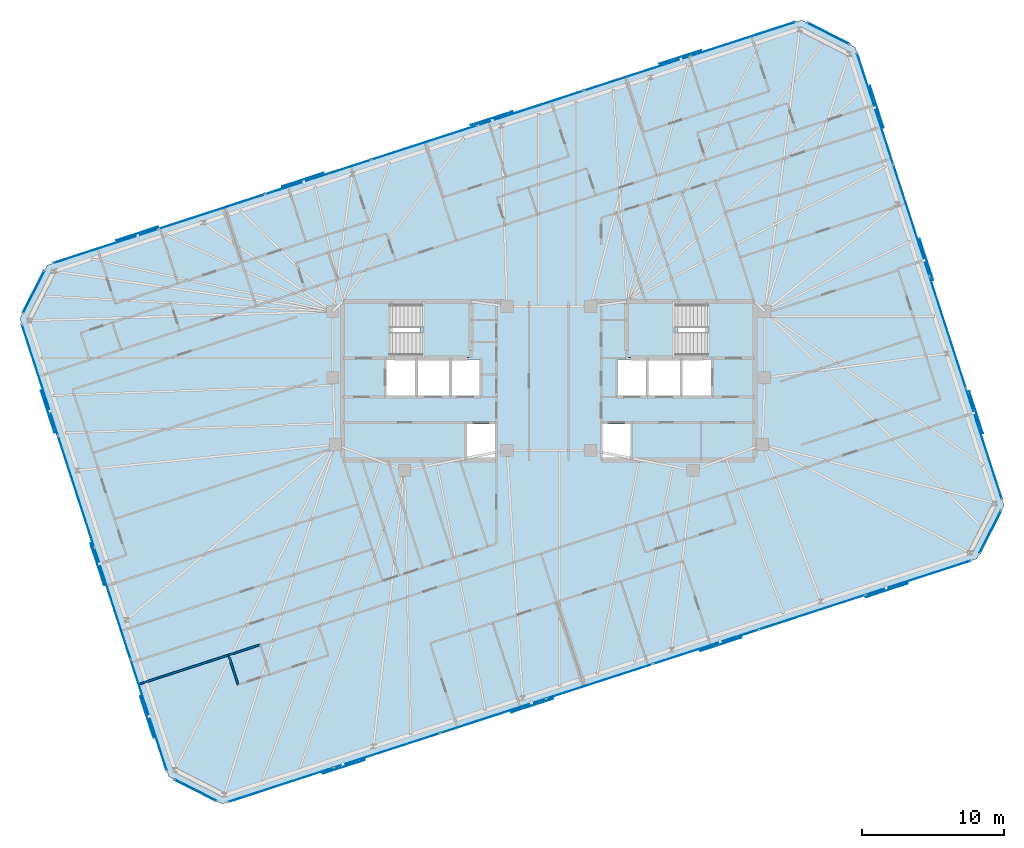
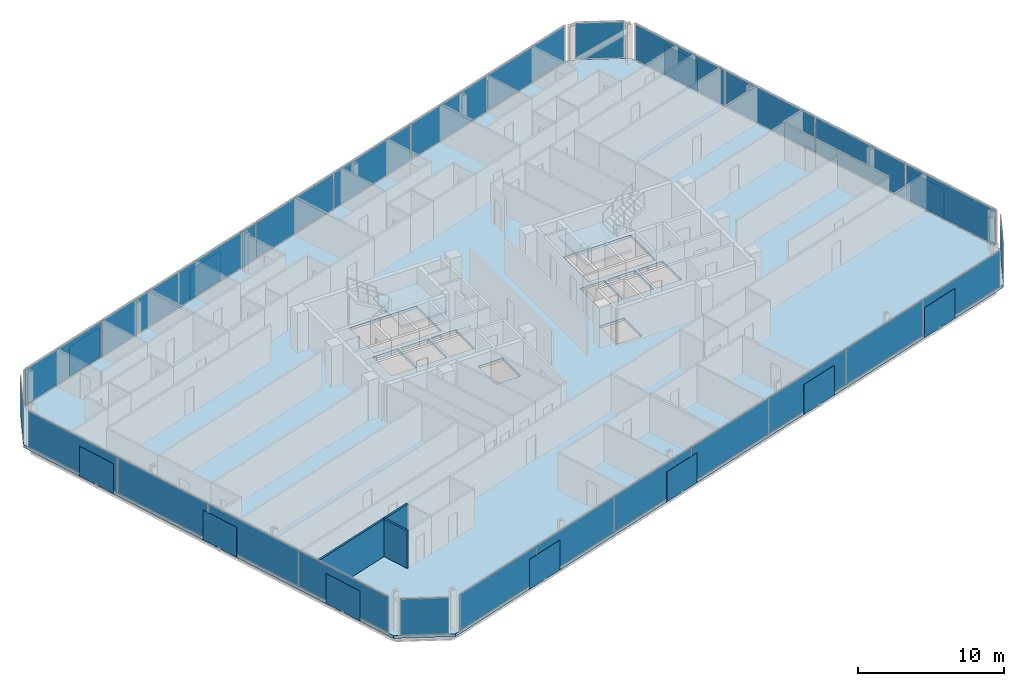
# One storey, part 12 of 20: 40 plates, 3 slabs, 3 walls, 10 elements without a shape of their own.
"""IFC4 building model written with IfcOpenShell, lengths in metres."""

from ifc_helpers import new_model, si_unit, direction, frame, frame_2d, origin, origin_2d, place, context, subcontext, project, spatial, polyline, rectangle, outline, extrude, material, layer, layer_set, type_object, element, aggregate, save


model = new_model("IFC4")

# Units and contexts
model_context = context("Model", 3, precision=1e-05, world=origin(), true_north=direction((0.0, 1.0)))
body_context = subcontext(model_context, "Body", "Model", "MODEL_VIEW")
ifc_project = project(units=[si_unit("LENGTHUNIT", "METRE"), si_unit("AREAUNIT", "SQUARE_METRE"), si_unit("VOLUMEUNIT", "CUBIC_METRE"), si_unit("PLANEANGLEUNIT", "RADIAN"), si_unit("MASSUNIT", "GRAM", prefix="KILO")], contexts=[model_context])

# Site, building, storey
site_placement = place(None, origin())
site = spatial("IfcSite", under=ifc_project, at=site_placement, CompositionType="ELEMENT")
building_placement = place(site_placement, origin())
building = spatial("IfcBuilding", under=site, at=building_placement, Name="Menara Jurai Vektor", CompositionType="ELEMENT")
storey_placement = place(building_placement, frame((0.0, 0.0, 224.300048828125)))
storey = spatial("IfcBuildingStorey", under=building, at=storey_placement, Name="L59", CompositionType="ELEMENT", Elevation=224.300048828125)

# Curtain wall, plates
ifc_material_1 = material(Name="Anodised Pale Aluminium & Low-E Double Glazing", Category="aluminium")
curtain_wall_type = type_object("IfcCurtainWallType", Name="CW-BLK4", PredefinedType="NOTDEFINED", material=ifc_material_1)
curtain_wall_1_placement = place(storey_placement, origin())
curtain_wall_1 = element("IfcCurtainWall", 1, at=curtain_wall_1_placement, inside=storey, type_object=curtain_wall_type, Name="Unitised Curtain Wall L59 F01", PredefinedType="NOTDEFINED")
ifc_material_2 = material(Name="Low-E Solar-Control Double Glazed Unit", Category="glass")
ifc_layer_1 = layer(ifc_material_2, 0.030029296875)
ifc_layer_set_1 = layer_set([ifc_layer_1], Name="Low-E Solar-Control Double Glazed Unit")
plate_type_1 = type_object("IfcPlateType", Name="CW-BLK4-PNL", PredefinedType="CURTAIN_PANEL", material=ifc_layer_set_1)
plate_1_placement = place(storey_placement, frame((-18.916259765625, -28.53076171875, 0.080078125), z_axis=(0.0, 0.0, 1.0), x_axis=(0.951056402641, 0.309017344167, 0.0)))
plate_1 = element("IfcPlate", 2, at=plate_1_placement, type_object=plate_type_1, Name="CW-04 panel 1.1", PredefinedType="CURTAIN_PANEL", context=body_context, shape_type="SweptSolid", body=[
    extrude(rectangle(XDim=7.771484375, YDim=0.030029296875, at=origin_2d()), origin(), (0.0, 0.0, 1.0), 2.965087890625),
])
plate_2_placement = place(storey_placement, frame((-11.429931640625, -26.098388671875, 0.080078125), z_axis=(0.0, 0.0, 1.0), x_axis=(0.951056402641, 0.309017344167, 0.0)))
plate_2 = element("IfcPlate", 3, at=plate_2_placement, type_object=plate_type_1, Name="CW-04 panel 2.1", PredefinedType="CURTAIN_PANEL", context=body_context, shape_type="SweptSolid", body=[
    extrude(rectangle(XDim=7.8115234375, YDim=0.030029296875, at=origin_2d()), origin(), (0.0, 0.0, 1.0), 2.965087890625),
])
plate_3_placement = place(storey_placement, frame((-3.9248046875, -23.65966796875, 0.080078125), z_axis=(0.0, 0.0, 1.0), x_axis=(0.951056402641, 0.309017344167, 0.0)))
plate_3 = element("IfcPlate", 4, at=plate_3_placement, type_object=plate_type_1, Name="CW-04 panel 3.1", PredefinedType="CURTAIN_PANEL", context=body_context, shape_type="SweptSolid", body=[
    extrude(rectangle(XDim=7.8115234375, YDim=0.030029296875, at=origin_2d()), origin(), (0.0, 0.0, 1.0), 2.965087890625),
])
plate_4_placement = place(storey_placement, frame((3.580322265625, -21.22119140625, 0.080078125), z_axis=(0.0, 0.0, 1.0), x_axis=(0.951056402641, 0.309017344167, 0.0)))
plate_4 = element("IfcPlate", 5, at=plate_4_placement, type_object=plate_type_1, Name="CW-04 panel 4.1", PredefinedType="CURTAIN_PANEL", context=body_context, shape_type="SweptSolid", body=[
    extrude(rectangle(XDim=7.8115234375, YDim=0.030029296875, at=origin_2d()), origin(), (0.0, 0.0, 1.0), 2.965087890625),
])
plate_5_placement = place(storey_placement, frame((11.08544921875, -18.782470703125, 0.080078125), z_axis=(0.0, 0.0, 1.0), x_axis=(0.951056402641, 0.309017344167, 0.0)))
plate_5 = element("IfcPlate", 6, at=plate_5_placement, type_object=plate_type_1, Name="CW-04 panel 5.1", PredefinedType="CURTAIN_PANEL", context=body_context, shape_type="SweptSolid", body=[
    extrude(rectangle(XDim=7.8115234375, YDim=0.030029296875, at=origin_2d()), origin(), (0.0, 0.0, 1.0), 2.965087890625),
])
plate_6_placement = place(storey_placement, frame((18.5908203125, -16.343994140625, 0.080078125), z_axis=(0.0, 0.0, 1.0), x_axis=(0.951056402641, 0.309017344167, 0.0)))
plate_6 = element("IfcPlate", 7, at=plate_6_placement, type_object=plate_type_1, Name="CW-04 panel 6.1", PredefinedType="CURTAIN_PANEL", context=body_context, shape_type="SweptSolid", body=[
    extrude(rectangle(XDim=7.8115234375, YDim=0.030029296875, at=origin_2d()), origin(), (0.0, 0.0, 1.0), 2.965087890625),
])
plate_7_placement = place(storey_placement, frame((26.076904296875, -13.91162109375, 0.080078125), z_axis=(0.0, 0.0, 1.0), x_axis=(0.951056402641, 0.309017344167, 0.0)))
plate_7 = element("IfcPlate", 8, at=plate_7_placement, type_object=plate_type_1, Name="CW-04 panel 7.1", PredefinedType="CURTAIN_PANEL", context=body_context, shape_type="SweptSolid", body=[
    extrude(rectangle(XDim=7.771484375, YDim=0.030029296875, at=origin_2d()), origin(), (0.0, 0.0, 1.0), 2.965087890625),
])
aggregate(curtain_wall_1, [plate_1, plate_2, plate_3, plate_4, plate_5, plate_6, plate_7])

curtain_wall_2_placement = place(storey_placement, origin())
curtain_wall_2 = element("IfcCurtainWall", 9, at=curtain_wall_2_placement, inside=storey, type_object=curtain_wall_type, Name="Unitised Curtain Wall L59 F03", PredefinedType="NOTDEFINED")
plate_8_placement = place(storey_placement, frame((30.728515625, -4.456298828125, 0.080078125), z_axis=(0.0, 0.0, 1.0), x_axis=(-0.309016481464, 0.95105668295, 0.0)))
plate_8 = element("IfcPlate", 10, at=plate_8_placement, type_object=plate_type_1, Name="CW-04 panel 1.1", PredefinedType="CURTAIN_PANEL", context=body_context, shape_type="SweptSolid", body=[
    extrude(rectangle(XDim=8.18994140625, YDim=0.030029296875, at=origin_2d()), origin(), (0.0, 0.0, 1.0), 2.965087890625),
])
plate_9_placement = place(storey_placement, frame((28.166748046875, 3.427978515625, 0.080078125), z_axis=(0.0, 0.0, 1.0), x_axis=(-0.309016481464, 0.95105668295, 0.0)))
plate_9 = element("IfcPlate", 11, at=plate_9_placement, type_object=plate_type_1, Name="CW-04 panel 2.1", PredefinedType="CURTAIN_PANEL", context=body_context, shape_type="SweptSolid", body=[
    extrude(rectangle(XDim=8.22998046875, YDim=0.030029296875, at=origin_2d()), origin(), (0.0, 0.0, 1.0), 2.965087890625),
])
plate_10_placement = place(storey_placement, frame((25.598876953125, 11.331298828125, 0.080078125), z_axis=(0.0, 0.0, 1.0), x_axis=(-0.309016481464, 0.95105668295, 0.0)))
plate_10 = element("IfcPlate", 12, at=plate_10_placement, type_object=plate_type_1, Name="CW-04 panel 3.1", PredefinedType="CURTAIN_PANEL", context=body_context, shape_type="SweptSolid", body=[
    extrude(rectangle(XDim=8.22998046875, YDim=0.030029296875, at=origin_2d()), origin(), (0.0, 0.0, 1.0), 2.965087890625),
])
plate_11_placement = place(storey_placement, frame((23.037109375, 19.21533203125, 0.080078125), z_axis=(0.0, 0.0, 1.0), x_axis=(-0.309016481464, 0.95105668295, 0.0)))
plate_11 = element("IfcPlate", 13, at=plate_11_placement, type_object=plate_type_1, Name="CW-04 panel 4.1", PredefinedType="CURTAIN_PANEL", context=body_context, shape_type="SweptSolid", body=[
    extrude(rectangle(XDim=8.18994140625, YDim=0.030029296875, at=origin_2d()), origin(), (0.0, 0.0, 1.0), 2.965087890625),
])
aggregate(curtain_wall_2, [plate_8, plate_9, plate_10, plate_11])

curtain_wall_3_placement = place(storey_placement, origin())
curtain_wall_3 = element("IfcCurtainWall", 14, at=curtain_wall_3_placement, inside=storey, type_object=curtain_wall_type, Name="Unitised Curtain Wall L59 F05", PredefinedType="NOTDEFINED")
plate_12_placement = place(storey_placement, frame((13.716064453125, 24.130615234375, 0.080078125), z_axis=(0.0, 0.0, 1.0), x_axis=(-0.951056402641, -0.309017344167, 0.0)))
plate_12 = element("IfcPlate", 15, at=plate_12_placement, type_object=plate_type_1, Name="CW-04 panel 1.1", PredefinedType="CURTAIN_PANEL", context=body_context, shape_type="SweptSolid", body=[
    extrude(rectangle(XDim=7.771484375, YDim=0.030029296875, at=origin_2d()), origin(), (0.0, 0.0, 1.0), 2.965087890625),
])
plate_13_placement = place(storey_placement, frame((6.22998046875, 21.6982421875, 0.080078125), z_axis=(0.0, 0.0, 1.0), x_axis=(-0.951056402641, -0.309017344167, 0.0)))
plate_13 = element("IfcPlate", 16, at=plate_13_placement, type_object=plate_type_1, Name="CW-04 panel 2.1", PredefinedType="CURTAIN_PANEL", context=body_context, shape_type="SweptSolid", body=[
    extrude(rectangle(XDim=7.8115234375, YDim=0.030029296875, at=origin_2d()), origin(), (0.0, 0.0, 1.0), 2.965087890625),
])
plate_14_placement = place(storey_placement, frame((-1.275146484375, 19.259765625, 0.080078125), z_axis=(0.0, 0.0, 1.0), x_axis=(-0.951056402641, -0.309017344167, 0.0)))
plate_14 = element("IfcPlate", 17, at=plate_14_placement, type_object=plate_type_1, Name="CW-04 panel 3.1", PredefinedType="CURTAIN_PANEL", context=body_context, shape_type="SweptSolid", body=[
    extrude(rectangle(XDim=7.8115234375, YDim=0.030029296875, at=origin_2d()), origin(), (0.0, 0.0, 1.0), 2.965087890625),
])
plate_15_placement = place(storey_placement, frame((-8.7802734375, 16.821044921875, 0.080078125), z_axis=(0.0, 0.0, 1.0), x_axis=(-0.951056402641, -0.309017344167, 0.0)))
plate_15 = element("IfcPlate", 18, at=plate_15_placement, type_object=plate_type_1, Name="CW-04 panel 4.1", PredefinedType="CURTAIN_PANEL", context=body_context, shape_type="SweptSolid", body=[
    extrude(rectangle(XDim=7.8115234375, YDim=0.030029296875, at=origin_2d()), origin(), (0.0, 0.0, 1.0), 2.965087890625),
])
plate_16_placement = place(storey_placement, frame((-16.28564453125, 14.382568359375, 0.080078125), z_axis=(0.0, 0.0, 1.0), x_axis=(-0.951056402641, -0.309017344167, 0.0)))
plate_16 = element("IfcPlate", 19, at=plate_16_placement, type_object=plate_type_1, Name="CW-04 panel 5.1", PredefinedType="CURTAIN_PANEL", context=body_context, shape_type="SweptSolid", body=[
    extrude(rectangle(XDim=7.8115234375, YDim=0.030029296875, at=origin_2d()), origin(), (0.0, 0.0, 1.0), 2.965087890625),
])
plate_17_placement = place(storey_placement, frame((-23.790771484375, 11.944091796875, 0.080078125), z_axis=(0.0, 0.0, 1.0), x_axis=(-0.951056402641, -0.309017344167, 0.0)))
plate_17 = element("IfcPlate", 20, at=plate_17_placement, type_object=plate_type_1, Name="CW-04 panel 6.1", PredefinedType="CURTAIN_PANEL", context=body_context, shape_type="SweptSolid", body=[
    extrude(rectangle(XDim=7.8115234375, YDim=0.030029296875, at=origin_2d()), origin(), (0.0, 0.0, 1.0), 2.965087890625),
])
plate_18_placement = place(storey_placement, frame((-31.27685546875, 9.511474609375, 0.080078125), z_axis=(0.0, 0.0, 1.0), x_axis=(-0.951056402641, -0.309017344167, 0.0)))
plate_18 = element("IfcPlate", 21, at=plate_18_placement, type_object=plate_type_1, Name="CW-04 panel 7.1", PredefinedType="CURTAIN_PANEL", context=body_context, shape_type="SweptSolid", body=[
    extrude(rectangle(XDim=7.771484375, YDim=0.030029296875, at=origin_2d()), origin(), (0.0, 0.0, 1.0), 2.965087890625),
])
aggregate(curtain_wall_3, [plate_12, plate_13, plate_14, plate_15, plate_16, plate_17, plate_18])

curtain_wall_4_placement = place(storey_placement, origin())
curtain_wall_4 = element("IfcCurtainWall", 22, at=curtain_wall_4_placement, inside=storey, type_object=curtain_wall_type, Name="Unitised Curtain Wall L59 F07", PredefinedType="NOTDEFINED")
plate_19_placement = place(storey_placement, frame((-35.928466796875, 0.056396484375, 0.080078125), z_axis=(0.0, 0.0, 1.0), x_axis=(0.309016481464, -0.95105668295, 0.0)))
plate_19 = element("IfcPlate", 23, at=plate_19_placement, type_object=plate_type_1, Name="CW-04 panel 1.1", PredefinedType="CURTAIN_PANEL", context=body_context, shape_type="SweptSolid", body=[
    extrude(rectangle(XDim=8.18994140625, YDim=0.030029296875, at=origin_2d()), origin(), (0.0, 0.0, 1.0), 2.965087890625),
])
plate_20_placement = place(storey_placement, frame((-33.36669921875, -7.827880859375, 0.080078125), z_axis=(0.0, 0.0, 1.0), x_axis=(0.309016481464, -0.95105668295, 0.0)))
plate_20 = element("IfcPlate", 24, at=plate_20_placement, type_object=plate_type_1, Name="CW-04 panel 2.1", PredefinedType="CURTAIN_PANEL", context=body_context, shape_type="SweptSolid", body=[
    extrude(rectangle(XDim=8.22998046875, YDim=0.030029296875, at=origin_2d()), origin(), (0.0, 0.0, 1.0), 2.965087890625),
])
plate_21_placement = place(storey_placement, frame((-30.798828125, -15.731201171875, 0.080078125), z_axis=(0.0, 0.0, 1.0), x_axis=(0.309016481464, -0.95105668295, 0.0)))
plate_21 = element("IfcPlate", 25, at=plate_21_placement, type_object=plate_type_1, Name="CW-04 panel 3.1", PredefinedType="CURTAIN_PANEL", context=body_context, shape_type="SweptSolid", body=[
    extrude(rectangle(XDim=8.22998046875, YDim=0.030029296875, at=origin_2d()), origin(), (0.0, 0.0, 1.0), 2.965087890625),
])
plate_22_placement = place(storey_placement, frame((-28.237060546875, -23.615478515625, 0.080078125), z_axis=(0.0, 0.0, 1.0), x_axis=(0.309016481464, -0.95105668295, 0.0)))
plate_22 = element("IfcPlate", 26, at=plate_22_placement, type_object=plate_type_1, Name="CW-04 panel 4.1", PredefinedType="CURTAIN_PANEL", context=body_context, shape_type="SweptSolid", body=[
    extrude(rectangle(XDim=8.18994140625, YDim=0.030029296875, at=origin_2d()), origin(), (0.0, 0.0, 1.0), 2.965087890625),
])
aggregate(curtain_wall_4, [plate_19, plate_20, plate_21, plate_22])

# Curtain wall, plate
curtain_wall_5_placement = place(storey_placement, origin())
curtain_wall_5 = element("IfcCurtainWall", 27, at=curtain_wall_5_placement, inside=storey, type_object=curtain_wall_type, Name="Unitised Curtain Wall L59 F02", PredefinedType="NOTDEFINED")
ifc_material_3 = material(Name="Insulated Pale Aluminium Spandrel Panel", Category="aluminium")
ifc_layer_2 = layer(ifc_material_3, 0.06005859375)
ifc_layer_set_2 = layer_set([ifc_layer_2], Name="Insulated Pale Aluminium Spandrel Panel")
plate_type_2 = type_object("IfcPlateType", Name="CW-PNL-SP", PredefinedType="CURTAIN_PANEL", material=ifc_layer_set_2)
plate_23_placement = place(storey_placement, frame((31.1728515625, -10.678466796875, 0.080078125), z_axis=(0.0, 0.0, 1.0), x_axis=(0.453988579828, 0.89100750243, 0.0)))
plate_23 = element("IfcPlate", 28, at=plate_23_placement, type_object=plate_type_2, Name="CW-04 panel 1.1", PredefinedType="CURTAIN_PANEL", context=body_context, shape_type="SweptSolid", body=[
    extrude(rectangle(XDim=3.32275390625, YDim=0.06005859375, at=origin_2d()), origin(), (0.0, 0.0, 1.0), 2.965087890625),
])
aggregate(curtain_wall_5, [plate_23])

curtain_wall_6_placement = place(storey_placement, origin())
curtain_wall_6 = element("IfcCurtainWall", 29, at=curtain_wall_6_placement, inside=storey, type_object=curtain_wall_type, Name="Unitised Curtain Wall L59 F04", PredefinedType="NOTDEFINED")
plate_24_placement = place(storey_placement, frame((19.7392578125, 24.510498046875, 0.080078125), z_axis=(0.0, 0.0, 1.0), x_axis=(-0.89100750243, 0.453988579828, 0.0)))
plate_24 = element("IfcPlate", 30, at=plate_24_placement, type_object=plate_type_2, Name="CW-04 panel 1.1", PredefinedType="CURTAIN_PANEL", context=body_context, shape_type="SweptSolid", body=[
    extrude(rectangle(XDim=3.32275390625, YDim=0.06005859375, at=origin_2d()), origin(), (0.0, 0.0, 1.0), 2.965087890625),
])
aggregate(curtain_wall_6, [plate_24])

curtain_wall_7_placement = place(storey_placement, origin())
curtain_wall_7 = element("IfcCurtainWall", 31, at=curtain_wall_7_placement, inside=storey, type_object=curtain_wall_type, Name="Unitised Curtain Wall L59 F06", PredefinedType="NOTDEFINED")
plate_25_placement = place(storey_placement, frame((-36.373046875, 6.278564453125, 0.080078125), z_axis=(0.0, 0.0, 1.0), x_axis=(-0.453988579828, -0.89100750243, 0.0)))
plate_25 = element("IfcPlate", 32, at=plate_25_placement, type_object=plate_type_2, Name="CW-04 panel 1.1", PredefinedType="CURTAIN_PANEL", context=body_context, shape_type="SweptSolid", body=[
    extrude(rectangle(XDim=3.32275390625, YDim=0.06005859375, at=origin_2d()), origin(), (0.0, 0.0, 1.0), 2.965087890625),
])
aggregate(curtain_wall_7, [plate_25])

curtain_wall_8_placement = place(storey_placement, origin())
curtain_wall_8 = element("IfcCurtainWall", 33, at=curtain_wall_8_placement, inside=storey, type_object=curtain_wall_type, Name="Unitised Curtain Wall L59 F08", PredefinedType="NOTDEFINED")
plate_26_placement = place(storey_placement, frame((-24.939453125, -28.91064453125, 0.080078125), z_axis=(0.0, 0.0, 1.0), x_axis=(0.89100750243, -0.453988579828, 0.0)))
plate_26 = element("IfcPlate", 34, at=plate_26_placement, type_object=plate_type_2, Name="CW-04 panel 1.1", PredefinedType="CURTAIN_PANEL", context=body_context, shape_type="SweptSolid", body=[
    extrude(rectangle(XDim=3.32275390625, YDim=0.06005859375, at=origin_2d()), origin(), (0.0, 0.0, 1.0), 2.965087890625),
])
aggregate(curtain_wall_8, [plate_26])

# Plates
ifc_material_4 = material(Name="Anodised Pale Aluminium Perforated Screen", Category="aluminium")
ifc_layer_3 = layer(ifc_material_4, 0.02197265625)
ifc_layer_set_3 = layer_set([ifc_layer_3], Name="Anodised Pale Aluminium Perforated Screen")
plate_type_3 = type_object("IfcPlateType", Name="ENV-PLT-SCREEN-HI", PredefinedType="USERDEFINED", material=ifc_layer_set_3)
for number, where, z_axis, x_axis, name in (
    (35, (-14.478271484375, -27.257080078125, -0.050048828125), (0.0, 0.0, 1.0), (0.951056516295, 0.309016994375, 0.0), "Perforated Pale-Metal Solar Screen L59-S01"),
    (36, (-1.16357421875, -22.930908203125, -0.050048828125), (0.0, 0.0, 1.0), (0.951056516295, 0.309016994375, 0.0), "Perforated Pale-Metal Solar Screen L59-S02"),
    (37, (12.151123046875, -18.6044921875, -0.050048828125), (0.0, 0.0, 1.0), (0.951056516295, 0.309016994375, 0.0), "Perforated Pale-Metal Solar Screen L59-S03"),
    (38, (23.868408203125, -14.797607421875, -0.050048828125), (0.0, 0.0, 1.0), (0.951056516295, 0.309016994375, 0.0), "Perforated Pale-Metal Solar Screen L59-S04"),
    (39, (30.16943359375, -2.218017578125, -0.050048828125), (0.0, 0.0, 1.0), (-0.309016994375, 0.951056516295, 0.0), "Perforated Pale-Metal Solar Screen L59-S05"),
    (40, (26.667236328125, 8.560791015625, -0.050048828125), (0.0, 0.0, 1.0), (-0.309016994375, 0.951056516295, 0.0), "Perforated Pale-Metal Solar Screen L59-S06"),
    (41, (23.1650390625, 19.33935546875, -0.050048828125), (0.0, 0.0, 1.0), (-0.309016994375, 0.951056516295, 0.0), "Perforated Pale-Metal Solar Screen L59-S07"),
    (42, (9.2783203125, 22.85693359375, -0.050048828125), (0.0, 0.0, 1.0), (-0.951056516295, -0.309016994375, 0.0), "Perforated Pale-Metal Solar Screen L59-S08"),
    (43, (-4.03662109375, 18.53076171875, -0.050048828125), (0.0, 0.0, 1.0), (-0.951056516295, -0.309016994375, 0.0), "Perforated Pale-Metal Solar Screen L59-S09"),
    (44, (-17.351318359375, 14.20458984375, -0.050048828125), (0.0, 0.0, 1.0), (-0.951056516295, -0.309016994375, 0.0), "Perforated Pale-Metal Solar Screen L59-S10"),
    (45, (-29.068359375, 10.3974609375, -0.050048828125), (0.0, 0.0, 1.0), (-0.951056516295, -0.309016994375, 0.0), "Perforated Pale-Metal Solar Screen L59-S11"),
    (46, (-35.369384765625, -2.18212890625, -0.050048828125), (0.0, 0.0, 1.0), (0.309016994375, -0.951056516295, 0.0), "Perforated Pale-Metal Solar Screen L59-S12"),
    (47, (-31.8671875, -12.960693359375, -0.050048828125), (0.0, 0.0, 1.0), (0.309016994375, -0.951056516295, 0.0), "Perforated Pale-Metal Solar Screen L59-S13"),
    (48, (-28.364990234375, -23.739501953125, -0.050048828125), (0.0, 0.0, 1.0), (0.309016994375, -0.951056516295, 0.0), "Perforated Pale-Metal Solar Screen L59-S14"),
):
    element("IfcPlate", number, at=place(storey_placement, frame(where, z_axis=z_axis, x_axis=x_axis)), inside=storey, type_object=plate_type_3, Name=name, ObjectType="SCREEN", PredefinedType="USERDEFINED", context=body_context, shape_type="SweptSolid", body=[
        extrude(rectangle(XDim=3.10009765625, YDim=0.02197265625, at=origin_2d()), origin(), (0.0, 0.0, 1.0), 2.5),
    ])

# Stair, slab
ifc_material_5 = material(Name="Concrete C40/50", Category="concrete")
stair_type = type_object("IfcStairType", Name="STAIR-DOGLEG-1500", PredefinedType="HALF_TURN_STAIR", material=ifc_material_5)
stair_1_placement = place(storey_placement, origin())
stair_1 = element("IfcStair", 49, at=stair_1_placement, inside=storey, type_object=stair_type, Name="Protected Exit Stair ST1 L59", PredefinedType="HALF_TURN_STAIR")
ifc_layer_4 = layer(ifc_material_5, 0.199951171875)
ifc_layer_set_4 = layer_set([ifc_layer_4], Name="Concrete C40/50")
slab_type_1 = type_object("IfcSlabType", Name="STAIR-LANDING-200", PredefinedType="LANDING", material=ifc_layer_set_4)
slab_1_placement = place(storey_placement, frame((0.0, 0.0, 1.474853515625)))
slab_1 = element("IfcSlab", 50, at=slab_1_placement, type_object=slab_type_1, Name="ST1 landing 1", PredefinedType="LANDING", context=body_context, shape_type="SweptSolid", body=[
    extrude(outline(polyline([(-9.080078125, 1.64990234375), (-5.550048828125, 1.64990234375), (-5.550048828125, 5.550048828125), (-9.080078125, 5.550048828125), (-9.080078125, 1.64990234375)])), origin(), (0.0, 0.0, 1.0), 0.2001953125),
])
aggregate(stair_1, [slab_1])

stair_2_placement = place(storey_placement, origin())
stair_2 = element("IfcStair", 51, at=stair_2_placement, inside=storey, type_object=stair_type, Name="Protected Exit Stair ST2 L59", PredefinedType="HALF_TURN_STAIR")
slab_2_placement = place(storey_placement, frame((0.0, 0.0, 1.474853515625)))
slab_2 = element("IfcSlab", 52, at=slab_2_placement, type_object=slab_type_1, Name="ST2 landing 1", PredefinedType="LANDING", context=body_context, shape_type="SweptSolid", body=[
    extrude(outline(polyline([(5.550048828125, 1.64990234375), (9.080078125, 1.64990234375), (9.080078125, 5.550048828125), (5.550048828125, 5.550048828125), (5.550048828125, 1.64990234375)])), origin(), (0.0, 0.0, 1.0), 0.2001953125),
])
aggregate(stair_2, [slab_2])

# Slab
ifc_layer_5 = layer(ifc_material_5, 0.22509765625)
ifc_layer_set_5 = layer_set([ifc_layer_5], Name="Concrete C40/50")
slab_type_2 = type_object("IfcSlabType", Name="STR-SLAB-TYP200", PredefinedType="FLOOR", material=ifc_layer_set_5)
slab_3_placement = place(storey_placement, frame((0.0, 0.0, -0.22509765625)))
element("IfcSlab", 53, at=slab_3_placement, inside=storey, type_object=slab_type_2, Name="Composite Floor Slab L59", PredefinedType="FLOOR", context=body_context, shape_type="SweptSolid", body=[
    extrude(outline(polyline([(-23.04931640625, -29.87353515625), (30.2099609375, -12.568603515625), (32.135986328125, -8.788330078125), (21.62939453125, 23.547607421875), (17.84912109375, 25.4736328125), (-35.409912109375, 8.168701171875), (-37.3359375, 4.388427734375), (-26.82958984375, -27.947509765625), (-23.04931640625, -29.87353515625)]), holes=[polyline([(-11.10009765625, 1.89990234375), (-11.10009765625, 5.300048828125), (-5.800048828125, 5.300048828125), (-5.800048828125, 1.89990234375), (-11.10009765625, 1.89990234375)]), polyline([(5.800048828125, 1.89990234375), (5.800048828125, 5.300048828125), (11.10009765625, 5.300048828125), (11.10009765625, 1.89990234375), (5.800048828125, 1.89990234375)]), polyline([(-11.449951171875, -1.050048828125), (-11.449951171875, 1.5), (-9.449951171875, 1.5), (-9.449951171875, -1.050048828125), (-11.449951171875, -1.050048828125)]), polyline([(9.449951171875, -1.050048828125), (9.449951171875, 1.5), (11.449951171875, 1.5), (11.449951171875, -1.050048828125), (9.449951171875, -1.050048828125)]), polyline([(-5.760009765625, -5.5), (-5.760009765625, -3.050048828125), (-3.800048828125, -3.050048828125), (-3.800048828125, -5.5), (-5.760009765625, -5.5)]), polyline([(-6.85009765625, -1.050048828125), (-6.85009765625, 1.5), (-4.889892578125, 1.5), (-4.889892578125, -1.050048828125), (-6.85009765625, -1.050048828125)]), polyline([(3.800048828125, -5.5), (3.800048828125, -3.050048828125), (5.760009765625, -3.050048828125), (5.760009765625, -5.5), (3.800048828125, -5.5)]), polyline([(4.889892578125, -1.050048828125), (4.889892578125, 1.5), (6.85009765625, 1.5), (6.85009765625, -1.050048828125), (4.889892578125, -1.050048828125)]), polyline([(-9.25, -1.050048828125), (-9.25, 1.5), (-7.050048828125, 1.5), (-7.050048828125, -1.050048828125), (-9.25, -1.050048828125)]), polyline([(7.050048828125, -1.050048828125), (7.050048828125, 1.5), (9.25, 1.5), (9.25, -1.050048828125), (7.050048828125, -1.050048828125)])]), origin(), (0.0, 0.0, 1.0), 0.22509765625),
])

# Walls
ifc_material_6 = material(Name="Gypsum Fireboard Partition", Category="gypsum")
ifc_layer_6 = layer(ifc_material_6, 0.14990234375)
ifc_layer_set_6 = layer_set([ifc_layer_6], Name="Gypsum Fireboard Partition")
wall_type = type_object("IfcWallType", Name="INT-WALL-CORR-150", PredefinedType="PARTITIONING", material=ifc_layer_set_6)
wall_1_placement = place(storey_placement, frame((-28.949951171875, -21.42138671875, 0.0), z_axis=(0.0, 0.0, 1.0), x_axis=(0.951059919169, 0.30900652121, 0.0)))
element("IfcWall", 54, at=wall_1_placement, inside=storey, type_object=wall_type, Name="Interior Wall IW-150 L59", PredefinedType="PARTITIONING", context=body_context, shape_type="SweptSolid", body=[
    extrude(rectangle(XDim=6.661865234375, YDim=0.14990234375, at=frame_2d((3.3310546875, 0.0))), origin(), (0.0, 0.0, 1.0), 3.125),
])
wall_2_placement = place(storey_placement, frame((-22.614013671875, -19.36279296875, 0.0), z_axis=(0.0, 0.0, 1.0), x_axis=(0.951045519245, 0.309050837767, 0.0)))
element("IfcWall", 55, at=wall_2_placement, inside=storey, type_object=wall_type, Name="Interior Wall IW-150 L59", PredefinedType="PARTITIONING", context=body_context, shape_type="SweptSolid", body=[
    extrude(rectangle(XDim=2.35009765625, YDim=0.14990234375, at=frame_2d((1.175048828125, 0.0))), origin(), (0.0, 0.0, 1.0), 3.125),
])
wall_3_placement = place(storey_placement, frame((-21.93408203125, -21.455078125, 0.0), z_axis=(0.0, 0.0, 1.0), x_axis=(-0.309060979314, 0.951042223598, 0.0)))
element("IfcWall", 56, at=wall_3_placement, inside=storey, type_object=wall_type, Name="Interior Wall IW-150 L59", PredefinedType="PARTITIONING", context=body_context, shape_type="SweptSolid", body=[
    extrude(rectangle(XDim=2.199951171875, YDim=0.14990234375, at=frame_2d((1.10009765625, 0.0))), origin(), (0.0, 0.0, 1.0), 3.125),
])

save(model, "model.ifc")
